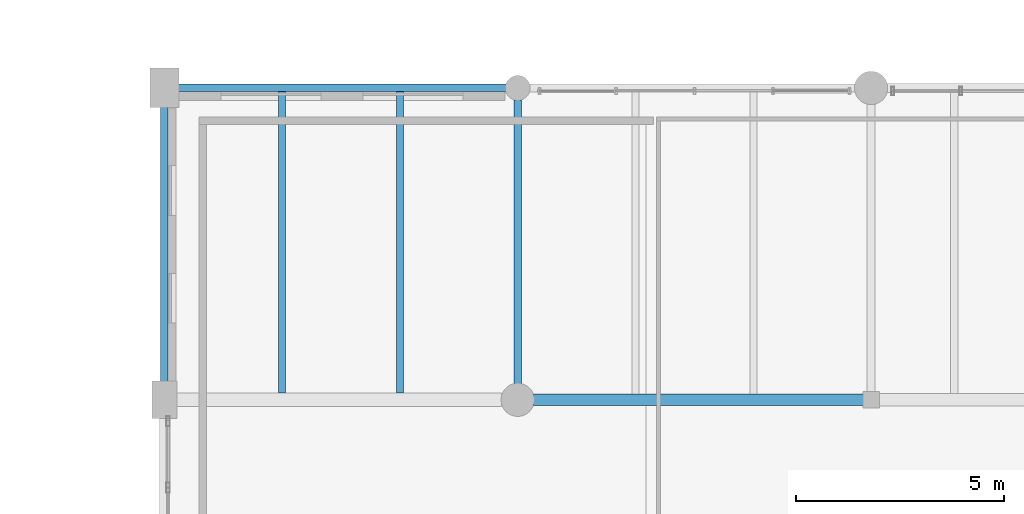
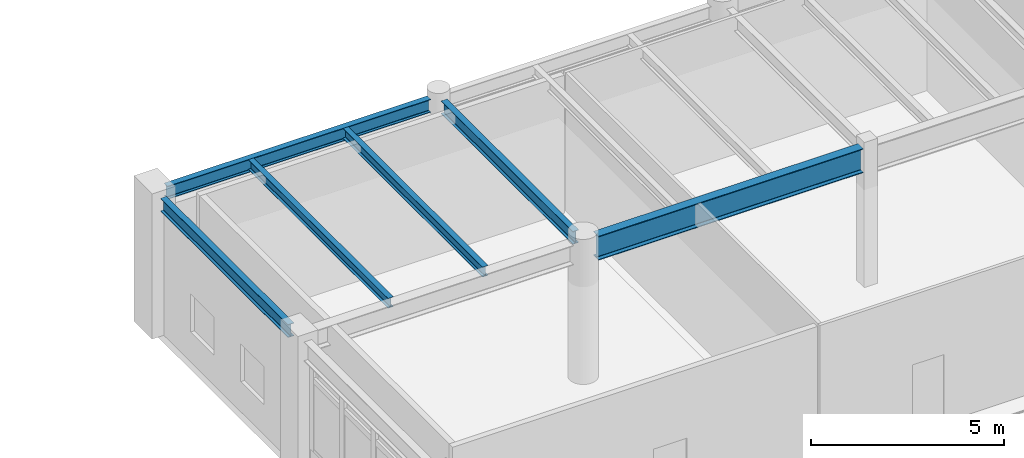
# One storey, part 103 of 168: 6 beams.
"""IFC4 building model written with IfcOpenShell, lengths in metres."""

import ifcopenshell
import ifcopenshell.guid

model = None  # the IFC model being written
_history = None  # IfcOwnerHistory: only IFC2X3 demands one
_inside = {}  # id of a spatial element -> (the spatial element, [elements in it])
_under = {}  # id of a project, library or spatial element -> (it, [spatial elements below it])
_declared = {}  # id of a project -> (the project, [libraries it declares])
_typed = {}  # id of a type object -> (the type object, [elements of that type])
_made_of = {}  # id of a material, layer set ... -> (it, [elements and type objects made of it])


def new_model(schema):
    """Start an empty IFC model of exactly this schema.

    Asked for "IFC4X3", IfcOpenShell would pick the latest addendum, in which some entities
    have other attributes; the version numbers below select the first issue.
    IFC2X3 requires an IfcOwnerHistory on every rooted entity: one is made here for all.
    """
    global model, _history
    if schema == "IFC4X3":
        model = ifcopenshell.file(schema_version=(4, 3, 0, 0))
    else:
        model = ifcopenshell.file(schema=schema)
    _inside.clear()
    _under.clear()
    _declared.clear()
    _typed.clear()
    _made_of.clear()
    _history = None
    if model.schema == "IFC2X3":
        org = make("IfcOrganization", Name="unknown")
        user = make(
            "IfcPersonAndOrganization",
            ThePerson=make("IfcPerson", FamilyName="unknown"),
            TheOrganization=org,
        )
        app = make(
            "IfcApplication",
            ApplicationDeveloper=org,
            Version="unknown",
            ApplicationFullName="unknown",
            ApplicationIdentifier="unknown",
        )
        _history = make(
            "IfcOwnerHistory",
            OwningUser=user,
            OwningApplication=app,
            ChangeAction="ADDED",
            CreationDate=0,
        )
    return model


def make(cls, **values):
    """One entity of the class cls with the attributes given. An attribute that is None is left unset."""
    return model.create_entity(
        cls, **{name: value for name, value in values.items() if value is not None}
    )


def rooted(cls, **values):
    """An entity with a GlobalId (a new one), such as an element, a storey or a relation."""
    return make(cls, GlobalId=ifcopenshell.guid.new(), OwnerHistory=_history, **values)


def si_unit(unit_type, name, prefix=None):
    """IfcSIUnit, for example si_unit("LENGTHUNIT", "METRE", prefix="MILLI")."""
    return make("IfcSIUnit", UnitType=unit_type, Prefix=prefix, Name=name)


def assignment(units):
    """IfcUnitAssignment: the units of a project."""
    return None if units is None else make("IfcUnitAssignment", Units=units)


def point(xyz):
    """IfcCartesianPoint."""
    return None if xyz is None else make("IfcCartesianPoint", Coordinates=xyz)


def direction(xyz):
    """IfcDirection."""
    return None if xyz is None else make("IfcDirection", DirectionRatios=xyz)


def frame(location, z_axis=None, x_axis=None):
    """IfcAxis2Placement3D, a coordinate frame: its origin and axes. An axis left out is left unset."""
    return make(
        "IfcAxis2Placement3D",
        Location=point(location),
        Axis=direction(z_axis),
        RefDirection=direction(x_axis),
    )


def frame_2d(location, x_axis=None):
    """IfcAxis2Placement2D, a coordinate frame in the plane: its origin and x axis."""
    return make(
        "IfcAxis2Placement2D", Location=point(location), RefDirection=direction(x_axis)
    )


def origin():
    """The frame at (0, 0, 0) with its axes left unset."""
    return frame((0.0, 0.0, 0.0))


def origin_2d():
    """The frame at (0, 0) in the plane with its x axis left unset."""
    return frame_2d((0.0, 0.0))


def place(relative_to, where):
    """IfcLocalPlacement: puts the frame where relative to a parent placement (None: the world)."""
    return make(
        "IfcLocalPlacement", PlacementRelTo=relative_to, RelativePlacement=where
    )


def context(
    kind, dimensions, precision=None, world=None, true_north=None, identifier=None
):
    """IfcGeometricRepresentationContext, for example the 3D "Model" context."""
    return make(
        "IfcGeometricRepresentationContext",
        ContextIdentifier=identifier,
        ContextType=kind,
        CoordinateSpaceDimension=dimensions,
        Precision=precision,
        WorldCoordinateSystem=world,
        TrueNorth=true_north,
    )


def subcontext(parent, identifier, kind, view, scale=None):
    """IfcGeometricRepresentationSubContext, for example "Body" below "Model"."""
    return make(
        "IfcGeometricRepresentationSubContext",
        ContextIdentifier=identifier,
        ContextType=kind,
        ParentContext=parent,
        TargetScale=scale,
        TargetView=view,
    )


def project(units=None, contexts=None):
    """IfcProject with its units and contexts."""
    return rooted(
        "IfcProject",
        Name="project",
        RepresentationContexts=contexts,
        UnitsInContext=assignment(units),
    )


def spatial(cls, under=None, at=None, **own):
    """A site, building, storey or space (cls), placed at a placement, below another one or the project."""
    s = rooted(cls, ObjectPlacement=at, **own)
    if under is not None:
        _under.setdefault(under.id(), (under, []))[1].append(s)
    return s


def profile(cls, at=None, kind="AREA", **sizes):
    """A parametric profile (cls). Its sizes go by their IFC names, for example OverallWidth=200.0."""
    return make(cls, ProfileType=kind, Position=at, **sizes)


def i_section(**sizes):
    """IfcIShapeProfileDef."""
    return profile("IfcIShapeProfileDef", **sizes)


def extrude(swept, where, along, depth):
    """IfcExtrudedAreaSolid: the profile swept, set in the frame where, extruded along a direction by depth."""
    return make(
        "IfcExtrudedAreaSolid",
        SweptArea=swept,
        Position=where,
        ExtrudedDirection=direction(along),
        Depth=depth,
    )


def shape(context_of_items, identifier, shape_type, items):
    """IfcShapeRepresentation: the items that make up one representation, for example the "Body"."""
    return make(
        "IfcShapeRepresentation",
        ContextOfItems=context_of_items,
        RepresentationIdentifier=identifier,
        RepresentationType=shape_type,
        Items=items,
    )


def material(Name=None, Category=None):
    """IfcMaterial."""
    return make("IfcMaterial", Name=Name, Category=Category)


def material_profile(
    of_material, cross_section, Name=None, Category=None, Priority=None
):
    """IfcMaterialProfile: a cross section and its material."""
    return make(
        "IfcMaterialProfile",
        Name=Name,
        Material=of_material,
        Profile=cross_section,
        Priority=Priority,
        Category=Category,
    )


def profile_set(profiles, Name=None, composite=None):
    """IfcMaterialProfileSet."""
    return make(
        "IfcMaterialProfileSet",
        Name=Name,
        MaterialProfiles=profiles,
        CompositeProfile=composite,
    )


def made_of(thing, what):
    """Note that an element or type object is made of a material, layer set ...; save() writes the relation."""
    if what is not None:
        _made_of.setdefault(what.id(), (what, []))[1].append(thing)
    return thing


def type_object(cls, material=None, **own):
    """A type object (cls), such as IfcWallType, which elements share."""
    return made_of(rooted(cls, **own), material)


def element(
    cls,
    number,
    at=None,
    inside=None,
    cuts=None,
    type_object=None,
    material=None,
    context=None,
    identifier="Body",
    shape_type=None,
    held_by="IfcProductDefinitionShape",
    body=None,
    shapes=None,
    **own,
):
    """One element of the class cls, such as IfcWall. Its Tag is "e" and its number.

    at: its placement. inside: the storey or other place that contains it. cuts: it is an
    opening in that element (IfcRelVoidsElement). A single representation is given by context,
    identifier, shape_type and body (its items); several are given by shapes. held_by: the class
    of the entity that holds the representations. save() writes the other relations.
    """
    e = rooted(cls, Tag="e%d" % number, ObjectPlacement=at, **own)
    if body is not None:
        shapes = [shape(context, identifier, shape_type, body)]
    if shapes is not None:
        e.Representation = make(held_by, Representations=shapes)
    if inside is not None:
        _inside.setdefault(inside.id(), (inside, []))[1].append(e)
    if cuts is not None:
        rooted(
            "IfcRelVoidsElement", RelatingBuildingElement=cuts, RelatedOpeningElement=e
        )
    if type_object is not None:
        _typed.setdefault(type_object.id(), (type_object, []))[1].append(e)
    return made_of(e, material)


def aggregate(whole, parts):
    """IfcRelAggregates: a whole, such as a stair, and the parts it consists of."""
    return rooted("IfcRelAggregates", RelatingObject=whole, RelatedObjects=parts)


def save(model, path):
    """Write the relations noted so far, then the file.

    IfcRelAggregates (storeys below a building ...), IfcRelContainedInSpatialStructure (elements
    in a storey), IfcRelDefinesByType, IfcRelAssociatesMaterial and IfcRelDeclares: one each for
    every whole, place, type object, material and project.
    """
    for whole, parts in _under.values():
        aggregate(whole, parts)
    for where, things in _inside.values():
        rooted(
            "IfcRelContainedInSpatialStructure",
            RelatedElements=things,
            RelatingStructure=where,
        )
    for kind, things in _typed.values():
        rooted("IfcRelDefinesByType", RelatedObjects=things, RelatingType=kind)
    for what, things in _made_of.values():
        rooted("IfcRelAssociatesMaterial", RelatedObjects=things, RelatingMaterial=what)
    for by, libraries in _declared.values():
        rooted("IfcRelDeclares", RelatingContext=by, RelatedDefinitions=libraries)
    model.write(path)


model = new_model("IFC4")

# Units and contexts
model_context = context("Model", 3, precision=1e-05, world=origin(), true_north=direction((0.0, 1.0)))
body_context = subcontext(model_context, "Body", "Model", "MODEL_VIEW")
ifc_project = project(units=[si_unit("LENGTHUNIT", "METRE"), si_unit("AREAUNIT", "SQUARE_METRE"), si_unit("VOLUMEUNIT", "CUBIC_METRE"), si_unit("PLANEANGLEUNIT", "RADIAN"), si_unit("MASSUNIT", "GRAM", prefix="KILO"), si_unit("THERMODYNAMICTEMPERATUREUNIT", "KELVIN"), si_unit("POWERUNIT", "WATT")], contexts=[model_context])

# Site, building, storey
site_placement = place(None, origin())
site = spatial("IfcSite", under=ifc_project, at=site_placement, CompositionType="ELEMENT")
building_placement = place(site_placement, origin())
building = spatial("IfcBuilding", under=site, at=building_placement, Name="Tepalcoro Natatorium and Aquatics Centre", CompositionType="ELEMENT")
storey_placement = place(building_placement, frame((0.0, 0.0, 10.199951171875)))
storey = spatial("IfcBuildingStorey", under=building, at=storey_placement, Name="L02", CompositionType="ELEMENT", Elevation=10.199951171875)

# Beams
ifc_material = material(Name="Steel ASTM A992 Grade 50 (Fy 345 MPa)", Category="steel")
ifc_material_profile_1 = material_profile(ifc_material, i_section(OverallWidth=0.177978515625, OverallDepth=0.406005859375, WebThickness=0.008056640625, FlangeThickness=0.012939453125, FilletRadius=0.013916015625, at=origin_2d()), Name="W16X40")
ifc_profile_set_1 = profile_set([ifc_material_profile_1], Name="Steel ASTM A992 Grade 50 (Fy 345 MPa)")
beam_type_1 = type_object("IfcBeamType", Name="BM_W16x40", PredefinedType="BEAM", material=ifc_profile_set_1)
beam_1_placement = place(storey_placement, frame((150.5, 51.885009765625, 4.162109375), z_axis=(0.0, 1.0, 0.0), x_axis=(-1.0, 0.0, 0.0)))
element("IfcBeam", 1, at=beam_1_placement, inside=storey, type_object=beam_type_1, Name="V2 L02 Grid Girder Y", PredefinedType="BEAM", context=body_context, shape_type="SweptSolid", body=[
    extrude(i_section(OverallWidth=0.177978515625, OverallDepth=0.406005859375, WebThickness=0.008056640625, FlangeThickness=0.012939453125, FilletRadius=0.013916015625, at=origin_2d()), origin(), (0.0, 0.0, 1.0), 6.830078125),
])
ifc_material_profile_2 = material_profile(ifc_material, i_section(OverallWidth=0.26708984375, OverallDepth=0.761962890625, WebThickness=0.013916015625, FlangeThickness=0.02197265625, FilletRadius=0.013916015625, at=origin_2d()), Name="W30X116")
ifc_profile_set_2 = profile_set([ifc_material_profile_2], Name="Steel ASTM A992 Grade 50 (Fy 345 MPa)")
beam_type_2 = type_object("IfcBeamType", Name="BM_W30x116", PredefinedType="BEAM", material=ifc_profile_set_2)
beam_2_placement = place(storey_placement, frame((150.885009765625, 51.5, 3.984130859375), z_axis=(1.0, 0.0, 0.0), x_axis=(0.0, 1.0, 0.0)))
element("IfcBeam", 2, at=beam_2_placement, inside=storey, type_object=beam_type_2, Name="V2 L02 Grid Girder X", PredefinedType="BEAM", context=body_context, shape_type="SweptSolid", body=[
    extrude(i_section(OverallWidth=0.26708984375, OverallDepth=0.761962890625, WebThickness=0.013916015625, FlangeThickness=0.02197265625, FilletRadius=0.013916015625, at=origin_2d()), origin(), (0.0, 0.0, 1.0), 7.929931640625),
])
ifc_material_profile_3 = material_profile(ifc_material, i_section(OverallWidth=0.1650390625, OverallDepth=0.31005859375, WebThickness=0.006103515625, FlangeThickness=0.010009765625, FilletRadius=0.013916015625, at=origin_2d()), Name="W12X26")
ifc_profile_set_3 = profile_set([ifc_material_profile_3], Name="Steel ASTM A992 Grade 50 (Fy 345 MPa)")
beam_type_3 = type_object("IfcBeamType", Name="JS_W12x26", PredefinedType="JOIST", material=ifc_profile_set_3)
beam_3_placement = place(storey_placement, frame((144.833251953125, 51.66259765625, 4.2099609375), z_axis=(0.0, 1.0, 0.0), x_axis=(-1.0, 0.0, 0.0)))
element("IfcBeam", 3, at=beam_3_placement, inside=storey, type_object=beam_type_3, Name="V2 L02 Floor Joist", PredefinedType="JOIST", context=body_context, shape_type="SweptSolid", body=[
    extrude(i_section(OverallWidth=0.1650390625, OverallDepth=0.31005859375, WebThickness=0.006103515625, FlangeThickness=0.010009765625, FilletRadius=0.013916015625, at=origin_2d()), origin(), (0.0, 0.0, 1.0), 7.247314453125),
])
ifc_material_profile_4 = material_profile(ifc_material, i_section(OverallWidth=0.1669921875, OverallDepth=0.318115234375, WebThickness=0.008056640625, FlangeThickness=0.012939453125, FilletRadius=0.013916015625, at=origin_2d()), Name="W12X35")
ifc_profile_set_4 = profile_set([ifc_material_profile_4], Name="Steel ASTM A992 Grade 50 (Fy 345 MPa)")
beam_type_4 = type_object("IfcBeamType", Name="JS_W12x35", PredefinedType="JOIST", material=ifc_profile_set_4)
beam_4_placement = place(storey_placement, frame((147.666748046875, 51.66259765625, 4.2060546875), z_axis=(0.0, 1.0, 0.0), x_axis=(-1.0, 0.0, 0.0)))
element("IfcBeam", 4, at=beam_4_placement, inside=storey, type_object=beam_type_4, Name="V2 L02 Floor Joist", PredefinedType="JOIST", context=body_context, shape_type="SweptSolid", body=[
    extrude(i_section(OverallWidth=0.1669921875, OverallDepth=0.318115234375, WebThickness=0.008056640625, FlangeThickness=0.012939453125, FilletRadius=0.013916015625, at=origin_2d()), origin(), (0.0, 0.0, 1.0), 7.247314453125),
])
ifc_material_profile_5 = material_profile(ifc_material, i_section(OverallWidth=0.179931640625, OverallDepth=0.4130859375, WebThickness=0.010009765625, FlangeThickness=0.01611328125, FilletRadius=0.013916015625, at=origin_2d()), Name="W16X50")
ifc_profile_set_5 = profile_set([ifc_material_profile_5], Name="Steel ASTM A992 Grade 50 (Fy 345 MPa)")
beam_type_5 = type_object("IfcBeamType", Name="SP_HSS300x200x12", PredefinedType="SPANDREL", material=ifc_profile_set_5)
beam_5_placement = place(storey_placement, frame((142.3349609375, 59.0, 4.158447265625), z_axis=(1.0, 0.0, 0.0), x_axis=(0.0, 1.0, 0.0)))
element("IfcBeam", 5, at=beam_5_placement, inside=storey, type_object=beam_type_5, Name="V2 L02 Grid Girder X", PredefinedType="SPANDREL", context=body_context, shape_type="SweptSolid", body=[
    extrude(i_section(OverallWidth=0.179931640625, OverallDepth=0.4130859375, WebThickness=0.010009765625, FlangeThickness=0.01611328125, FilletRadius=0.013916015625, at=origin_2d()), origin(), (0.0, 0.0, 1.0), 7.880126953125),
])
beam_6_placement = place(storey_placement, frame((142.0, 51.93505859375, 4.158447265625), z_axis=(0.0, 1.0, 0.0), x_axis=(-1.0, 0.0, 0.0)))
element("IfcBeam", 6, at=beam_6_placement, inside=storey, type_object=beam_type_5, Name="V2 L02 Grid Girder Y", PredefinedType="SPANDREL", context=body_context, shape_type="SweptSolid", body=[
    extrude(i_section(OverallWidth=0.179931640625, OverallDepth=0.4130859375, WebThickness=0.010009765625, FlangeThickness=0.01611328125, FilletRadius=0.013916015625, at=origin_2d()), origin(), (0.0, 0.0, 1.0), 6.60498046875),
])

save(model, "model.ifc")
